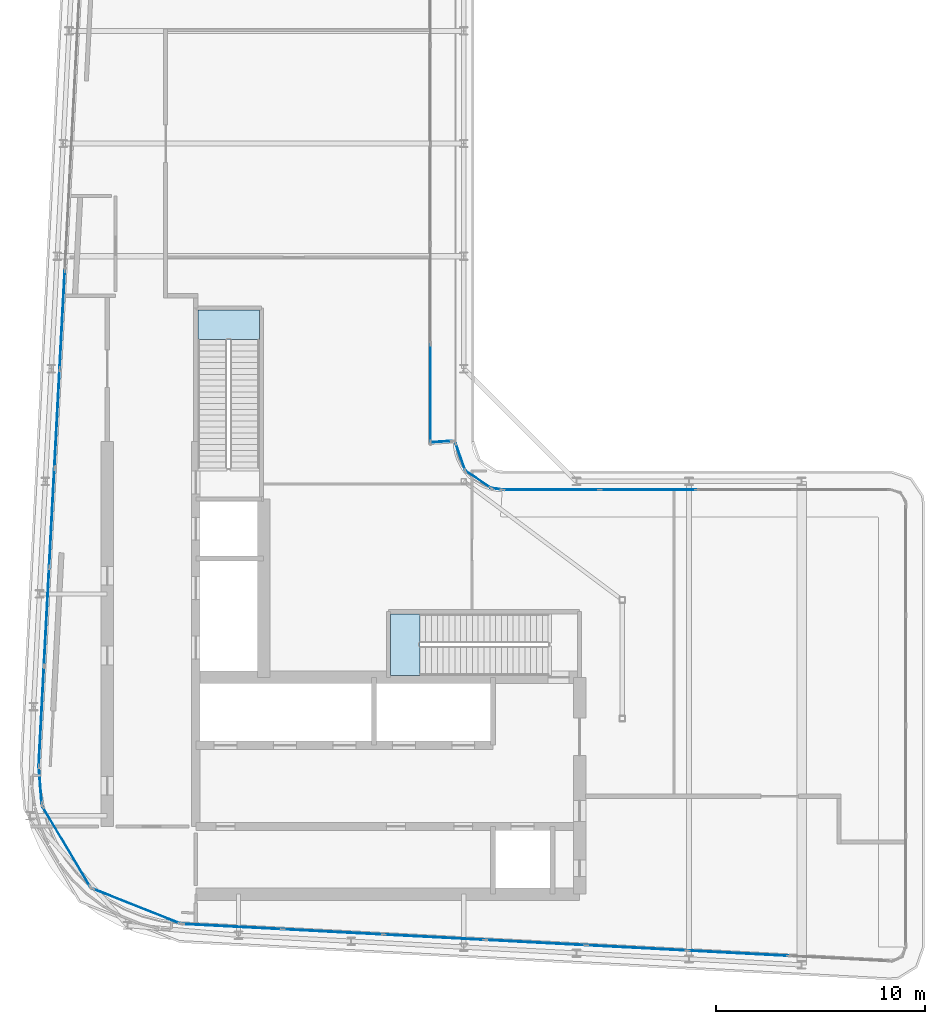
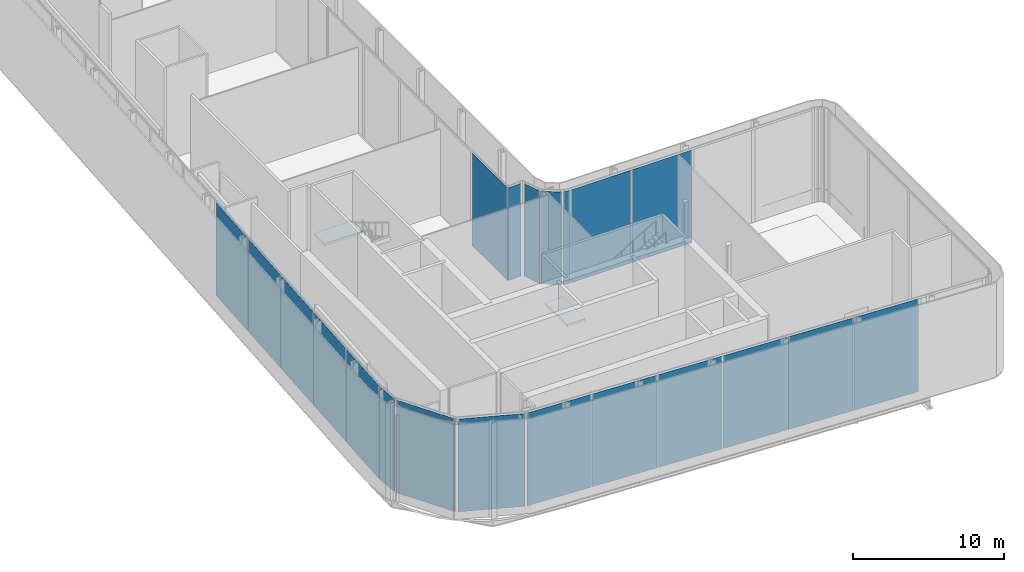
# One storey, part 15 of 28: 21 plates, 2 slabs, 13 elements without a shape of their own.
"""IFC4 building model written with IfcOpenShell, lengths in metres."""

from ifc_helpers import new_model, si_unit, direction, frame, origin, origin_2d, place, context, subcontext, project, spatial, polyline, rectangle, outline, extrude, material, layer, layer_set, type_object, element, aggregate, save


model = new_model("IFC4")

# Units and contexts
model_context = context("Model", 3, precision=1e-05, world=origin(), true_north=direction((0.0, 1.0)))
body_context = subcontext(model_context, "Body", "Model", "MODEL_VIEW")
ifc_project = project(units=[si_unit("LENGTHUNIT", "METRE"), si_unit("AREAUNIT", "SQUARE_METRE"), si_unit("VOLUMEUNIT", "CUBIC_METRE"), si_unit("PLANEANGLEUNIT", "RADIAN"), si_unit("MASSUNIT", "GRAM", prefix="KILO")], contexts=[model_context])

# Site, building, storey
site_placement = place(None, origin())
site = spatial("IfcSite", under=ifc_project, at=site_placement, CompositionType="ELEMENT")
building_placement = place(site_placement, origin())
building = spatial("IfcBuilding", under=site, at=building_placement, Name="Kheshtan School and Residences Tower", CompositionType="ELEMENT")
storey_placement = place(building_placement, frame((0.0, 0.0, 325.39990234375)))
storey = spatial("IfcBuildingStorey", under=building, at=storey_placement, Name="L77", CompositionType="ELEMENT", Elevation=325.39990234375)

# Curtain wall, plate
ifc_material_1 = material(Name="Clear low-e glass in thermally broken aluminium frame", Category="aluminium")
ifc_layer_1 = layer(ifc_material_1, 0.25)
ifc_layer_set_1 = layer_set([ifc_layer_1], Name="Curtain wall CW-G")
curtain_wall_type_1 = type_object("IfcCurtainWallType", Name="Curtain wall CW-G", PredefinedType="NOTDEFINED", material=ifc_layer_set_1)
curtain_wall_1_placement = place(storey_placement, origin())
curtain_wall_1 = element("IfcCurtainWall", 1, at=curtain_wall_1_placement, inside=storey, type_object=curtain_wall_type_1, Name="Curtain wall CWG15a", PredefinedType="NOTDEFINED")
ifc_layer_2 = layer(ifc_material_1, 0.0380859375)
ifc_layer_set_2 = layer_set([ifc_layer_2], Name="CW-G glass panel")
plate_type_1 = type_object("IfcPlateType", Name="CW-G glass panel", PredefinedType="CURTAIN_PANEL", material=ifc_layer_set_2)
plate_1_placement = place(storey_placement, frame((46.0, 49.83203125, 0.0), z_axis=(0.0, 0.0, 1.0), x_axis=(0.0, -1.0, 0.0)))
plate_1 = element("IfcPlate", 2, at=plate_1_placement, type_object=plate_type_1, Name="CWG15a panel 5.1", PredefinedType="CURTAIN_PANEL", context=body_context, shape_type="SweptSolid", body=[
    extrude(rectangle(XDim=4.68408203125, YDim=0.0380859375, at=origin_2d()), origin(), (0.0, 0.0, 1.0), 7.489990234375),
])
aggregate(curtain_wall_1, [plate_1])

# Curtain wall, plates
ifc_layer_3 = layer(ifc_material_1, 0.25)
ifc_layer_set_3 = layer_set([ifc_layer_3], Name="Curtain wall CW-K")
curtain_wall_type_2 = type_object("IfcCurtainWallType", Name="Curtain wall CW-K", PredefinedType="NOTDEFINED", material=ifc_layer_set_3)
curtain_wall_2_placement = place(storey_placement, origin())
curtain_wall_2 = element("IfcCurtainWall", 3, at=curtain_wall_2_placement, inside=storey, type_object=curtain_wall_type_2, Name="Curtain wall CWK2b", PredefinedType="NOTDEFINED")
ifc_layer_4 = layer(ifc_material_1, 0.0380859375)
ifc_layer_set_4 = layer_set([ifc_layer_4], Name="CW-K glass panel")
plate_type_2 = type_object("IfcPlateType", Name="CW-K glass panel", PredefinedType="CURTAIN_PANEL", material=ifc_layer_set_4)
plate_2_placement = place(storey_placement, frame((60.7529296875, 22.971435546875, 0.0), z_axis=(0.0, 0.0, 1.0), x_axis=(-0.998616286057, 0.052588147164, 0.0)))
plate_2 = element("IfcPlate", 4, at=plate_2_placement, type_object=plate_type_2, Name="CWK2b panel 2.1", PredefinedType="CURTAIN_PANEL", context=body_context, shape_type="SweptSolid", body=[
    extrude(rectangle(XDim=4.7998046875, YDim=0.0380859375, at=origin_2d()), origin(), (0.0, 0.0, 1.0), 7.489990234375),
])
plate_3_placement = place(storey_placement, frame((55.89990234375, 23.22705078125, 0.0), z_axis=(0.0, 0.0, 1.0), x_axis=(-0.998616286057, 0.052588147164, 0.0)))
plate_3 = element("IfcPlate", 5, at=plate_3_placement, type_object=plate_type_2, Name="CWK2b panel 3.1", PredefinedType="CURTAIN_PANEL", context=body_context, shape_type="SweptSolid", body=[
    extrude(rectangle(XDim=4.7998046875, YDim=0.0380859375, at=origin_2d()), origin(), (0.0, 0.0, 1.0), 7.489990234375),
])
plate_4_placement = place(storey_placement, frame((51.046630859375, 23.482666015625, 0.0), z_axis=(0.0, 0.0, 1.0), x_axis=(-0.998616286057, 0.052588147164, 0.0)))
plate_4 = element("IfcPlate", 6, at=plate_4_placement, type_object=plate_type_2, Name="CWK2b panel 4.1", PredefinedType="CURTAIN_PANEL", context=body_context, shape_type="SweptSolid", body=[
    extrude(rectangle(XDim=4.7998046875, YDim=0.0380859375, at=origin_2d()), origin(), (0.0, 0.0, 1.0), 7.489990234375),
])
plate_5_placement = place(storey_placement, frame((46.193603515625, 23.73828125, 0.0), z_axis=(0.0, 0.0, 1.0), x_axis=(-0.998616286057, 0.052588147164, 0.0)))
plate_5 = element("IfcPlate", 7, at=plate_5_placement, type_object=plate_type_2, Name="CWK2b panel 5.1", PredefinedType="CURTAIN_PANEL", context=body_context, shape_type="SweptSolid", body=[
    extrude(rectangle(XDim=4.7998046875, YDim=0.0380859375, at=origin_2d()), origin(), (0.0, 0.0, 1.0), 7.489990234375),
])
plate_6_placement = place(storey_placement, frame((41.340576171875, 23.993896484375, 0.0), z_axis=(0.0, 0.0, 1.0), x_axis=(-0.998616286057, 0.052588147164, 0.0)))
plate_6 = element("IfcPlate", 8, at=plate_6_placement, type_object=plate_type_2, Name="CWK2b panel 6.1", PredefinedType="CURTAIN_PANEL", context=body_context, shape_type="SweptSolid", body=[
    extrude(rectangle(XDim=4.7998046875, YDim=0.0380859375, at=origin_2d()), origin(), (0.0, 0.0, 1.0), 7.489990234375),
])
plate_7_placement = place(storey_placement, frame((36.502197265625, 24.24853515625, 0.0), z_axis=(0.0, 0.0, 1.0), x_axis=(-0.998616286057, 0.052588147164, 0.0)))
plate_7 = element("IfcPlate", 9, at=plate_7_placement, type_object=plate_type_2, Name="CWK2b panel 7.1", PredefinedType="CURTAIN_PANEL", context=body_context, shape_type="SweptSolid", body=[
    extrude(rectangle(XDim=4.769775390625, YDim=0.0380859375, at=origin_2d()), origin(), (0.0, 0.0, 1.0), 7.489990234375),
])
aggregate(curtain_wall_2, [plate_2, plate_3, plate_4, plate_5, plate_6, plate_7])

# Curtain wall, plate
curtain_wall_3_placement = place(storey_placement, origin())
curtain_wall_3 = element("IfcCurtainWall", 10, at=curtain_wall_3_placement, inside=storey, type_object=curtain_wall_type_2, Name="Curtain wall CWK3b", PredefinedType="NOTDEFINED")
plate_8_placement = place(storey_placement, frame((31.89501953125, 25.2314453125, 0.0), z_axis=(0.0, 0.0, 1.0), x_axis=(-0.929389950531, 0.369099336022, 0.0)))
plate_8 = element("IfcPlate", 11, at=plate_8_placement, type_object=plate_type_2, Name="CWK3b panel 1.1", PredefinedType="CURTAIN_PANEL", context=body_context, shape_type="SweptSolid", body=[
    extrude(rectangle(XDim=4.47216796875, YDim=0.0380859375, at=origin_2d()), origin(), (0.0, 0.0, 1.0), 7.489990234375),
])
aggregate(curtain_wall_3, [plate_8])

curtain_wall_4_placement = place(storey_placement, origin())
curtain_wall_4 = element("IfcCurtainWall", 12, at=curtain_wall_4_placement, inside=storey, type_object=curtain_wall_type_2, Name="Curtain wall CWK4b", PredefinedType="NOTDEFINED")
plate_9_placement = place(storey_placement, frame((28.546142578125, 28.081787109375, 0.0), z_axis=(0.0, 0.0, 1.0), x_axis=(-0.511075392878, 0.85953588802, 0.0)))
plate_9 = element("IfcPlate", 13, at=plate_9_placement, type_object=plate_type_2, Name="CWK4b panel 1.1", PredefinedType="CURTAIN_PANEL", context=body_context, shape_type="SweptSolid", body=[
    extrude(rectangle(XDim=4.44287109375, YDim=0.0380859375, at=origin_2d()), origin(), (0.0, 0.0, 1.0), 7.489990234375),
])
aggregate(curtain_wall_4, [plate_9])

curtain_wall_5_placement = place(storey_placement, origin())
curtain_wall_5 = element("IfcCurtainWall", 14, at=curtain_wall_5_placement, inside=storey, type_object=curtain_wall_type_2, Name="Curtain wall CWK5a", PredefinedType="NOTDEFINED")
plate_10_placement = place(storey_placement, frame((27.293212890625, 31.024658203125, 0.0), z_axis=(0.0, 0.0, 1.0), x_axis=(-0.077549452299, 0.996988506678, 0.0)))
plate_10 = element("IfcPlate", 15, at=plate_10_placement, type_object=plate_type_2, Name="CWK5a panel 1.1", PredefinedType="CURTAIN_PANEL", context=body_context, shape_type="SweptSolid", body=[
    extrude(rectangle(XDim=1.7626953125, YDim=0.0380859375, at=origin_2d()), origin(), (0.0, 0.0, 1.0), 7.489990234375),
])
aggregate(curtain_wall_5, [plate_10])

# Curtain wall, plates
curtain_wall_6_placement = place(storey_placement, origin())
curtain_wall_6 = element("IfcCurtainWall", 16, at=curtain_wall_6_placement, inside=storey, type_object=curtain_wall_type_2, Name="Curtain wall CWK6b", PredefinedType="NOTDEFINED")
plate_11_placement = place(storey_placement, frame((27.343994140625, 34.3310546875, 0.0), z_axis=(0.0, 0.0, 1.0), x_axis=(0.05256513568, 0.998617497599, 0.0)))
plate_11 = element("IfcPlate", 17, at=plate_11_placement, type_object=plate_type_2, Name="CWK6b panel 1.1", PredefinedType="CURTAIN_PANEL", context=body_context, shape_type="SweptSolid", body=[
    extrude(rectangle(XDim=4.741455078125, YDim=0.0380859375, at=origin_2d()), origin(), (0.0, 0.0, 1.0), 7.489990234375),
])
plate_12_placement = place(storey_placement, frame((27.595458984375, 39.1044921875, 0.0), z_axis=(0.0, 0.0, 1.0), x_axis=(0.05256513568, 0.998617497599, 0.0)))
plate_12 = element("IfcPlate", 18, at=plate_12_placement, type_object=plate_type_2, Name="CWK6b panel 2.1", PredefinedType="CURTAIN_PANEL", context=body_context, shape_type="SweptSolid", body=[
    extrude(rectangle(XDim=4.69873046875, YDim=0.0380859375, at=origin_2d()), origin(), (0.0, 0.0, 1.0), 7.489990234375),
])
plate_13_placement = place(storey_placement, frame((27.845458984375, 43.856689453125, 0.0), z_axis=(0.0, 0.0, 1.0), x_axis=(0.05256513568, 0.998617497599, 0.0)))
plate_13 = element("IfcPlate", 19, at=plate_13_placement, type_object=plate_type_2, Name="CWK6b panel 3.1", PredefinedType="CURTAIN_PANEL", context=body_context, shape_type="SweptSolid", body=[
    extrude(rectangle(XDim=4.69873046875, YDim=0.0380859375, at=origin_2d()), origin(), (0.0, 0.0, 1.0), 7.489990234375),
])
plate_14_placement = place(storey_placement, frame((28.095703125, 48.608642578125, 0.0), z_axis=(0.0, 0.0, 1.0), x_axis=(0.05256513568, 0.998617497599, 0.0)))
plate_14 = element("IfcPlate", 20, at=plate_14_placement, type_object=plate_type_2, Name="CWK6b panel 4.1", PredefinedType="CURTAIN_PANEL", context=body_context, shape_type="SweptSolid", body=[
    extrude(rectangle(XDim=4.69873046875, YDim=0.0380859375, at=origin_2d()), origin(), (0.0, 0.0, 1.0), 7.489990234375),
])
plate_15_placement = place(storey_placement, frame((28.345703125, 53.36083984375, 0.0), z_axis=(0.0, 0.0, 1.0), x_axis=(0.05256513568, 0.998617497599, 0.0)))
plate_15 = element("IfcPlate", 21, at=plate_15_placement, type_object=plate_type_2, Name="CWK6b panel 5.1", PredefinedType="CURTAIN_PANEL", context=body_context, shape_type="SweptSolid", body=[
    extrude(rectangle(XDim=4.69873046875, YDim=0.0380859375, at=origin_2d()), origin(), (0.0, 0.0, 1.0), 7.489990234375),
])
aggregate(curtain_wall_6, [plate_11, plate_12, plate_13, plate_14, plate_15])

# Curtain wall, plate
curtain_wall_7_placement = place(storey_placement, origin())
curtain_wall_7 = element("IfcCurtainWall", 22, at=curtain_wall_7_placement, inside=storey, type_object=curtain_wall_type_2, Name="Curtain wall CWK16b", PredefinedType="NOTDEFINED")
plate_16_placement = place(storey_placement, frame((46.532470703125, 47.502685546875, 0.0), z_axis=(0.0, 0.0, 1.0), x_axis=(0.997829199352, 0.065855059944, 0.0)))
plate_16 = element("IfcPlate", 23, at=plate_16_placement, type_object=plate_type_2, Name="CWK16b panel 1.1", PredefinedType="CURTAIN_PANEL", context=body_context, shape_type="SweptSolid", body=[
    extrude(rectangle(XDim=1.00830078125, YDim=0.0380859375, at=origin_2d()), origin(), (0.0, 0.0, 1.0), 7.489990234375),
])
aggregate(curtain_wall_7, [plate_16])

curtain_wall_8_placement = place(storey_placement, origin())
curtain_wall_8 = element("IfcCurtainWall", 24, at=curtain_wall_8_placement, inside=storey, type_object=curtain_wall_type_2, Name="Curtain wall CWK17b", PredefinedType="NOTDEFINED")
plate_17_placement = place(storey_placement, frame((47.4423828125, 46.772705078125, 0.0), z_axis=(0.0, 0.0, 1.0), x_axis=(0.331340177841, -0.943511360053, 0.0)))
plate_17 = element("IfcPlate", 25, at=plate_17_placement, type_object=plate_type_2, Name="CWK17b panel 1.1", PredefinedType="CURTAIN_PANEL", context=body_context, shape_type="SweptSolid", body=[
    extrude(rectangle(XDim=1.364990234375, YDim=0.0380859375, at=origin_2d()), origin(), (0.0, 0.0, 1.0), 7.489990234375),
])
aggregate(curtain_wall_8, [plate_17])

curtain_wall_9_placement = place(storey_placement, origin())
curtain_wall_9 = element("IfcCurtainWall", 26, at=curtain_wall_9_placement, inside=storey, type_object=curtain_wall_type_2, Name="Curtain wall CWK18b", PredefinedType="NOTDEFINED")
plate_18_placement = place(storey_placement, frame((48.294677734375, 45.69091796875, 0.0), z_axis=(0.0, 0.0, 1.0), x_axis=(0.831352904033, -0.555744859586, 0.0)))
plate_18 = element("IfcPlate", 27, at=plate_18_placement, type_object=plate_type_2, Name="CWK18b panel 1.1", PredefinedType="CURTAIN_PANEL", context=body_context, shape_type="SweptSolid", body=[
    extrude(rectangle(XDim=1.419677734375, YDim=0.0380859375, at=origin_2d()), origin(), (0.0, 0.0, 1.0), 7.489990234375),
])
aggregate(curtain_wall_9, [plate_18])

curtain_wall_10_placement = place(storey_placement, origin())
curtain_wall_10 = element("IfcCurtainWall", 28, at=curtain_wall_10_placement, inside=storey, type_object=curtain_wall_type_2, Name="Curtain wall CWK19a", PredefinedType="NOTDEFINED")
plate_19_placement = place(storey_placement, frame((49.180908203125, 45.239990234375, 0.0), z_axis=(0.0, 0.0, 1.0), x_axis=(0.99093208818, -0.134363672971, 0.0)))
plate_19 = element("IfcPlate", 29, at=plate_19_placement, type_object=plate_type_2, Name="CWK19a panel 1.1", PredefinedType="CURTAIN_PANEL", context=body_context, shape_type="SweptSolid", body=[
    extrude(rectangle(XDim=0.488525390625, YDim=0.0380859375, at=origin_2d()), origin(), (0.0, 0.0, 1.0), 7.489990234375),
])
aggregate(curtain_wall_10, [plate_19])

# Curtain wall, plates
curtain_wall_11_placement = place(storey_placement, origin())
curtain_wall_11 = element("IfcCurtainWall", 30, at=curtain_wall_11_placement, inside=storey, type_object=curtain_wall_type_2, Name="Curtain wall CWK20b", PredefinedType="NOTDEFINED")
plate_20_placement = place(storey_placement, frame((51.785888671875, 45.199951171875, 0.0), z_axis=(0.0, 0.0, 1.0), x_axis=(1.0, 0.0, 0.0)))
plate_20 = element("IfcPlate", 31, at=plate_20_placement, type_object=plate_type_2, Name="CWK20b panel 1.1", PredefinedType="CURTAIN_PANEL", context=body_context, shape_type="SweptSolid", body=[
    extrude(rectangle(XDim=4.6064453125, YDim=0.0380859375, at=origin_2d()), origin(), (0.0, 0.0, 1.0), 7.489990234375),
])
plate_21_placement = place(storey_placement, frame((56.4443359375, 45.199951171875, 0.0), z_axis=(0.0, 0.0, 1.0), x_axis=(1.0, 0.0, 0.0)))
plate_21 = element("IfcPlate", 32, at=plate_21_placement, type_object=plate_type_2, Name="CWK20b panel 2.1", PredefinedType="CURTAIN_PANEL", context=body_context, shape_type="SweptSolid", body=[
    extrude(rectangle(XDim=4.59033203125, YDim=0.0380859375, at=origin_2d()), origin(), (0.0, 0.0, 1.0), 7.489990234375),
])
aggregate(curtain_wall_11, [plate_20, plate_21])

# Stair, slab
ifc_material_2 = material(Name="Concrete C40/50", Category="concrete")
stair_type = type_object("IfcStairType", Name="Exit stair, half-turn", PredefinedType="HALF_TURN_STAIR", material=ifc_material_2)
stair_1_placement = place(storey_placement, origin())
stair_1 = element("IfcStair", 33, at=stair_1_placement, inside=storey, type_object=stair_type, Name="L77 Protected Exit Stair ST1", PredefinedType="HALF_TURN_STAIR")
ifc_layer_5 = layer(ifc_material_2, 0.199951171875)
ifc_layer_set_5 = layer_set([ifc_layer_5], Name="Stair landing 200 Concrete C40/50")
slab_type = type_object("IfcSlabType", Name="Stair landing 200 Concrete C40/50", PredefinedType="LANDING", material=ifc_layer_set_5)
slab_1_placement = place(storey_placement, frame((0.0, 0.0, 3.7001953125)))
slab_1 = element("IfcSlab", 34, at=slab_1_placement, type_object=slab_type, Name="ST1 landing 1", PredefinedType="LANDING", context=body_context, shape_type="SweptSolid", body=[
    extrude(outline(polyline([(45.489990234375, 39.25), (44.090087890625, 39.25), (44.090087890625, 36.300048828125), (45.489990234375, 36.300048828125), (45.489990234375, 39.25)])), origin(), (0.0, 0.0, 1.0), 0.199951171875),
])
aggregate(stair_1, [slab_1])

stair_2_placement = place(storey_placement, origin())
stair_2 = element("IfcStair", 35, at=stair_2_placement, inside=storey, type_object=stair_type, Name="L77 Protected Exit Stair ST2", PredefinedType="HALF_TURN_STAIR")
slab_2_placement = place(storey_placement, frame((0.0, 0.0, 3.7001953125)))
slab_2 = element("IfcSlab", 36, at=slab_2_placement, type_object=slab_type, Name="ST2 landing 1", PredefinedType="LANDING", context=body_context, shape_type="SweptSolid", body=[
    extrude(outline(polyline([(37.800048828125, 52.409912109375), (37.800048828125, 53.81005859375), (34.85009765625, 53.81005859375), (34.85009765625, 52.409912109375), (37.800048828125, 52.409912109375)])), origin(), (0.0, 0.0, 1.0), 0.199951171875),
])
aggregate(stair_2, [slab_2])

save(model, "model.ifc")
